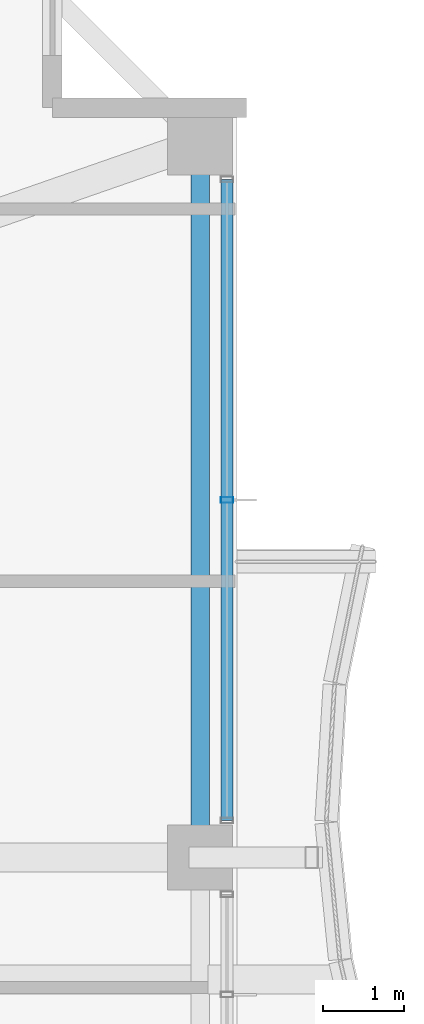
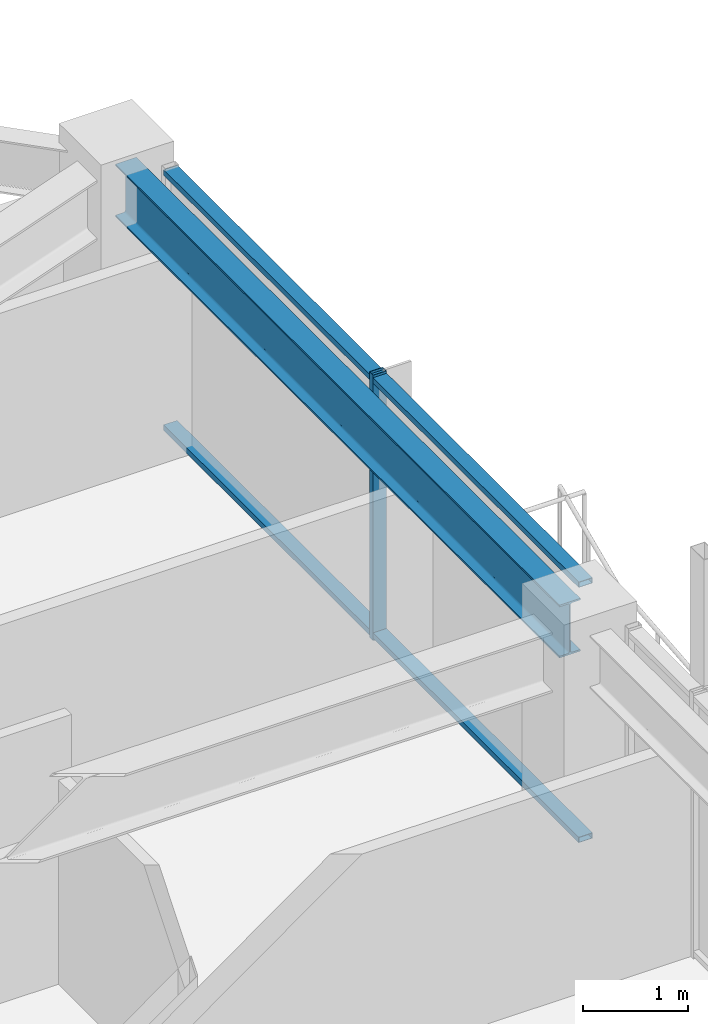
# One storey, part 16 of 35: 3 members, 1 beam, 1 element without a shape of its own.
"""IFC4 building model written with IfcOpenShell, lengths in metres."""

from ifc_helpers import new_model, si_unit, direction, frame, origin, origin_2d, place, context, subcontext, project, spatial, hollow_rectangle, i_section, extrude, material, material_profile, profile_set, type_object, element, aggregate, save


model = new_model("IFC4")

# Units and contexts
model_context = context("Model", 3, precision=1e-05, world=origin(), true_north=direction((0.0, 1.0)))
body_context = subcontext(model_context, "Body", "Model", "MODEL_VIEW")
ifc_project = project(units=[si_unit("LENGTHUNIT", "METRE"), si_unit("AREAUNIT", "SQUARE_METRE"), si_unit("VOLUMEUNIT", "CUBIC_METRE"), si_unit("PLANEANGLEUNIT", "RADIAN"), si_unit("MASSUNIT", "GRAM", prefix="KILO")], contexts=[model_context])

# Site, building, storey
site_placement = place(None, origin())
site = spatial("IfcSite", under=ifc_project, at=site_placement, CompositionType="ELEMENT")
building_placement = place(site_placement, origin())
building = spatial("IfcBuilding", under=site, at=building_placement, Name="Kolvaren Belvedere", CompositionType="ELEMENT")
storey_placement = place(building_placement, frame((0.0, 0.0, 216.300048828125)))
storey = spatial("IfcBuildingStorey", under=building, at=storey_placement, Name="L63", CompositionType="ELEMENT", Elevation=216.300048828125)

# Beam
ifc_material_1 = material(Name="Structural steel ASTM A992 Grade 50", Category="steel")
ifc_material_profile_1 = material_profile(ifc_material_1, i_section(OverallWidth=0.22900390625, OverallDepth=0.612060546875, WebThickness=0.011962890625, FlangeThickness=0.01953125, FilletRadius=0.01806640625, at=origin_2d()), Name="W24X84")
ifc_profile_set_1 = profile_set([ifc_material_profile_1], Name="Structural steel ASTM A992 Grade 50")
beam_type = type_object("IfcBeamType", Name="BM-SPAN-W24X84", PredefinedType="SPANDREL", material=ifc_profile_set_1)
beam_placement = place(storey_placement, frame((19.949951171875, 4.780029296875, 2.77392578125), z_axis=(0.0, 1.0, 0.0), x_axis=(-1.0, 0.0, 0.0)))
element("IfcBeam", 1, at=beam_placement, inside=storey, type_object=beam_type, Name="L63 Perimeter Spandrel E3-E4", PredefinedType="SPANDREL", context=body_context, shape_type="SweptSolid", body=[
    extrude(i_section(OverallWidth=0.22900390625, OverallDepth=0.612060546875, WebThickness=0.011962890625, FlangeThickness=0.01953125, FilletRadius=0.01806640625, at=origin_2d()), origin(), (0.0, 0.0, 1.0), 8.43994140625),
])

# Curtain wall, members
ifc_material_2 = material(Name="Anodised pale-metal aluminium AA 6063-T6", Category="aluminium")
curtain_wall_type = type_object("IfcCurtainWallType", Name="CW-Z5-HIGH", PredefinedType="NOTDEFINED", material=ifc_material_2)
curtain_wall_placement = place(storey_placement, origin())
curtain_wall = element("IfcCurtainWall", 2, at=curtain_wall_placement, inside=storey, type_object=curtain_wall_type, Name="L63 Unitised Curtain Wall FCW-L63-E1-B1", PredefinedType="NOTDEFINED")
ifc_material_3 = material(Name="Anodised pale-metal aluminium AA 6063-T6", Category="aluminium")
ifc_material_profile_2 = material_profile(ifc_material_3, hollow_rectangle(XDim=0.070068359375, YDim=0.14990234375, WallThickness=0.004150390625, at=origin_2d()), Name="ALU-MUL-150X70")
ifc_profile_set_2 = profile_set([ifc_material_profile_2], Name="Anodised pale-metal aluminium AA 6063-T6")
member_type_1 = type_object("IfcMemberType", Name="CW-MUL-150", PredefinedType="MULLION", material=ifc_profile_set_2)
member_1_placement = place(storey_placement, frame((20.280029296875, 9.0, 0.0), z_axis=(0.0, 0.0, 1.0), x_axis=(0.0, 1.0, 0.0)))
member_1 = element("IfcMember", 3, at=member_1_placement, type_object=member_type_1, Name="FCW-L63-E1-B1 Unitised Mullion 2", PredefinedType="MULLION", context=body_context, shape_type="SweptSolid", body=[
    extrude(hollow_rectangle(XDim=0.070068359375, YDim=0.14990234375, WallThickness=0.004150390625, at=origin_2d()), origin(), (0.0, 0.0, 1.0), 3.079833984375),
])
ifc_material_4 = material(Name="Anodised pale-metal aluminium AA 6063-T6", Category="aluminium")
ifc_material_profile_3 = material_profile(ifc_material_4, hollow_rectangle(XDim=0.06494140625, YDim=0.14990234375, WallThickness=0.00390625, at=origin_2d()), Name="ALU-TRN-150X65")
ifc_profile_set_3 = profile_set([ifc_material_profile_3], Name="Anodised pale-metal aluminium AA 6063-T6")
member_type_2 = type_object("IfcMemberType", Name="CW-TRN-150", PredefinedType="USERDEFINED", material=ifc_profile_set_3)
member_2_placement = place(storey_placement, frame((20.280029296875, 12.945068359375, 0.06005859375), z_axis=(0.0, -1.0, 0.0), x_axis=(0.0, 0.0, 1.0)))
member_2 = element("IfcMember", 4, at=member_2_placement, type_object=member_type_2, Name="FCW-L63-E1-B1 Sill Transom", ObjectType="TRANSOM", PredefinedType="USERDEFINED", context=body_context, shape_type="SweptSolid", body=[
    extrude(hollow_rectangle(XDim=0.06494140625, YDim=0.14990234375, WallThickness=0.00390625, at=origin_2d()), origin(), (0.0, 0.0, 1.0), 7.89013671875),
])
member_3_placement = place(storey_placement, frame((20.280029296875, 12.945068359375, 3.02001953125), z_axis=(0.0, -1.0, 0.0), x_axis=(0.0, 0.0, 1.0)))
member_3 = element("IfcMember", 5, at=member_3_placement, type_object=member_type_2, Name="FCW-L63-E1-B1 Head Transom", ObjectType="TRANSOM", PredefinedType="USERDEFINED", context=body_context, shape_type="SweptSolid", body=[
    extrude(hollow_rectangle(XDim=0.06494140625, YDim=0.14990234375, WallThickness=0.00390625, at=origin_2d()), origin(), (0.0, 0.0, 1.0), 7.89013671875),
])
aggregate(curtain_wall, [member_1, member_2, member_3])

save(model, "model.ifc")
